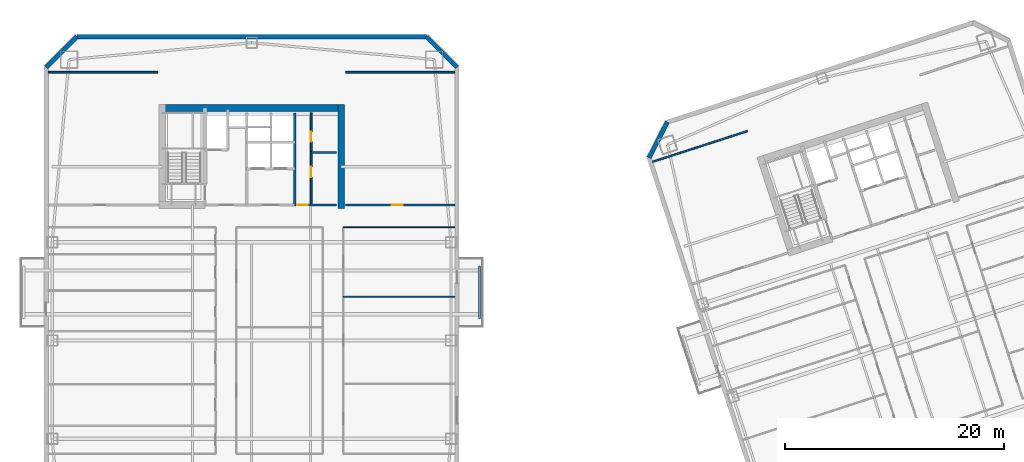
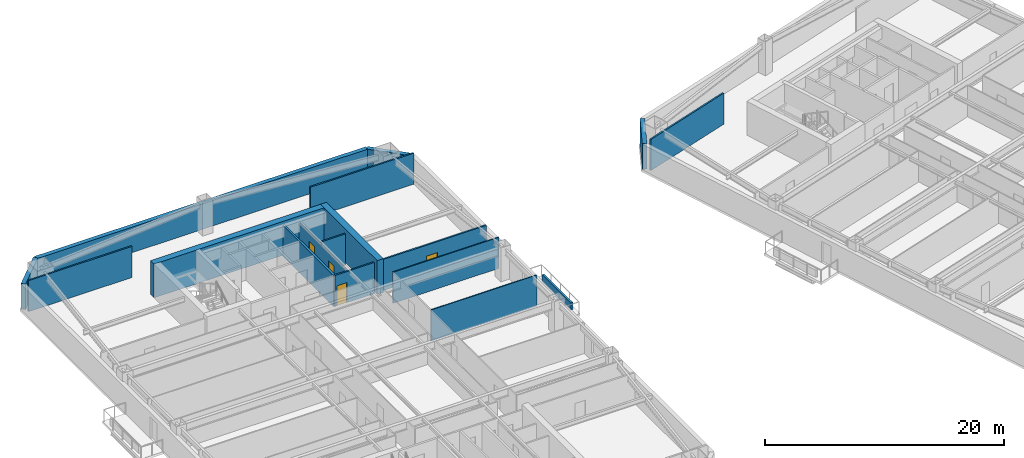
# One storey, part 6 of 15: 17 walls, 4 doors, 4 openings.
"""IFC4 building model written with IfcOpenShell, lengths in metres."""

import ifcopenshell
import ifcopenshell.guid

model = None  # the IFC model being written
_history = None  # IfcOwnerHistory: only IFC2X3 demands one
_inside = {}  # id of a spatial element -> (the spatial element, [elements in it])
_under = {}  # id of a project, library or spatial element -> (it, [spatial elements below it])
_declared = {}  # id of a project -> (the project, [libraries it declares])
_typed = {}  # id of a type object -> (the type object, [elements of that type])
_made_of = {}  # id of a material, layer set ... -> (it, [elements and type objects made of it])


def new_model(schema):
    """Start an empty IFC model of exactly this schema.

    Asked for "IFC4X3", IfcOpenShell would pick the latest addendum, in which some entities
    have other attributes; the version numbers below select the first issue.
    IFC2X3 requires an IfcOwnerHistory on every rooted entity: one is made here for all.
    """
    global model, _history
    if schema == "IFC4X3":
        model = ifcopenshell.file(schema_version=(4, 3, 0, 0))
    else:
        model = ifcopenshell.file(schema=schema)
    _inside.clear()
    _under.clear()
    _declared.clear()
    _typed.clear()
    _made_of.clear()
    _history = None
    if model.schema == "IFC2X3":
        org = make("IfcOrganization", Name="unknown")
        user = make(
            "IfcPersonAndOrganization",
            ThePerson=make("IfcPerson", FamilyName="unknown"),
            TheOrganization=org,
        )
        app = make(
            "IfcApplication",
            ApplicationDeveloper=org,
            Version="unknown",
            ApplicationFullName="unknown",
            ApplicationIdentifier="unknown",
        )
        _history = make(
            "IfcOwnerHistory",
            OwningUser=user,
            OwningApplication=app,
            ChangeAction="ADDED",
            CreationDate=0,
        )
    return model


def make(cls, **values):
    """One entity of the class cls with the attributes given. An attribute that is None is left unset."""
    return model.create_entity(
        cls, **{name: value for name, value in values.items() if value is not None}
    )


def rooted(cls, **values):
    """An entity with a GlobalId (a new one), such as an element, a storey or a relation."""
    return make(cls, GlobalId=ifcopenshell.guid.new(), OwnerHistory=_history, **values)


def si_unit(unit_type, name, prefix=None):
    """IfcSIUnit, for example si_unit("LENGTHUNIT", "METRE", prefix="MILLI")."""
    return make("IfcSIUnit", UnitType=unit_type, Prefix=prefix, Name=name)


def assignment(units):
    """IfcUnitAssignment: the units of a project."""
    return None if units is None else make("IfcUnitAssignment", Units=units)


def point(xyz):
    """IfcCartesianPoint."""
    return None if xyz is None else make("IfcCartesianPoint", Coordinates=xyz)


def direction(xyz):
    """IfcDirection."""
    return None if xyz is None else make("IfcDirection", DirectionRatios=xyz)


def frame(location, z_axis=None, x_axis=None):
    """IfcAxis2Placement3D, a coordinate frame: its origin and axes. An axis left out is left unset."""
    return make(
        "IfcAxis2Placement3D",
        Location=point(location),
        Axis=direction(z_axis),
        RefDirection=direction(x_axis),
    )


def frame_2d(location, x_axis=None):
    """IfcAxis2Placement2D, a coordinate frame in the plane: its origin and x axis."""
    return make(
        "IfcAxis2Placement2D", Location=point(location), RefDirection=direction(x_axis)
    )


def origin():
    """The frame at (0, 0, 0) with its axes left unset."""
    return frame((0.0, 0.0, 0.0))


def place(relative_to, where):
    """IfcLocalPlacement: puts the frame where relative to a parent placement (None: the world)."""
    return make(
        "IfcLocalPlacement", PlacementRelTo=relative_to, RelativePlacement=where
    )


def context(
    kind, dimensions, precision=None, world=None, true_north=None, identifier=None
):
    """IfcGeometricRepresentationContext, for example the 3D "Model" context."""
    return make(
        "IfcGeometricRepresentationContext",
        ContextIdentifier=identifier,
        ContextType=kind,
        CoordinateSpaceDimension=dimensions,
        Precision=precision,
        WorldCoordinateSystem=world,
        TrueNorth=true_north,
    )


def subcontext(parent, identifier, kind, view, scale=None):
    """IfcGeometricRepresentationSubContext, for example "Body" below "Model"."""
    return make(
        "IfcGeometricRepresentationSubContext",
        ContextIdentifier=identifier,
        ContextType=kind,
        ParentContext=parent,
        TargetScale=scale,
        TargetView=view,
    )


def project(units=None, contexts=None):
    """IfcProject with its units and contexts."""
    return rooted(
        "IfcProject",
        Name="project",
        RepresentationContexts=contexts,
        UnitsInContext=assignment(units),
    )


def spatial(cls, under=None, at=None, **own):
    """A site, building, storey or space (cls), placed at a placement, below another one or the project."""
    s = rooted(cls, ObjectPlacement=at, **own)
    if under is not None:
        _under.setdefault(under.id(), (under, []))[1].append(s)
    return s


def profile(cls, at=None, kind="AREA", **sizes):
    """A parametric profile (cls). Its sizes go by their IFC names, for example OverallWidth=200.0."""
    return make(cls, ProfileType=kind, Position=at, **sizes)


def rectangle(**sizes):
    """IfcRectangleProfileDef."""
    return profile("IfcRectangleProfileDef", **sizes)


def extrude(swept, where, along, depth):
    """IfcExtrudedAreaSolid: the profile swept, set in the frame where, extruded along a direction by depth."""
    return make(
        "IfcExtrudedAreaSolid",
        SweptArea=swept,
        Position=where,
        ExtrudedDirection=direction(along),
        Depth=depth,
    )


def shape(context_of_items, identifier, shape_type, items):
    """IfcShapeRepresentation: the items that make up one representation, for example the "Body"."""
    return make(
        "IfcShapeRepresentation",
        ContextOfItems=context_of_items,
        RepresentationIdentifier=identifier,
        RepresentationType=shape_type,
        Items=items,
    )


def material(Name=None, Category=None):
    """IfcMaterial."""
    return make("IfcMaterial", Name=Name, Category=Category)


def layer(
    of_material, thickness, ventilated=None, Name=None, Category=None, Priority=None
):
    """IfcMaterialLayer: one layer of a wall or slab, of a material (None: an air gap)."""
    return make(
        "IfcMaterialLayer",
        Material=of_material,
        LayerThickness=thickness,
        IsVentilated=ventilated,
        Name=Name,
        Category=Category,
        Priority=Priority,
    )


def layer_set(layers, Name=None):
    """IfcMaterialLayerSet."""
    return make("IfcMaterialLayerSet", MaterialLayers=layers, LayerSetName=Name)


def made_of(thing, what):
    """Note that an element or type object is made of a material, layer set ...; save() writes the relation."""
    if what is not None:
        _made_of.setdefault(what.id(), (what, []))[1].append(thing)
    return thing


def type_object(cls, material=None, **own):
    """A type object (cls), such as IfcWallType, which elements share."""
    return made_of(rooted(cls, **own), material)


def element(
    cls,
    number,
    at=None,
    inside=None,
    cuts=None,
    type_object=None,
    material=None,
    context=None,
    identifier="Body",
    shape_type=None,
    held_by="IfcProductDefinitionShape",
    body=None,
    shapes=None,
    **own,
):
    """One element of the class cls, such as IfcWall. Its Tag is "e" and its number.

    at: its placement. inside: the storey or other place that contains it. cuts: it is an
    opening in that element (IfcRelVoidsElement). A single representation is given by context,
    identifier, shape_type and body (its items); several are given by shapes. held_by: the class
    of the entity that holds the representations. save() writes the other relations.
    """
    e = rooted(cls, Tag="e%d" % number, ObjectPlacement=at, **own)
    if body is not None:
        shapes = [shape(context, identifier, shape_type, body)]
    if shapes is not None:
        e.Representation = make(held_by, Representations=shapes)
    if inside is not None:
        _inside.setdefault(inside.id(), (inside, []))[1].append(e)
    if cuts is not None:
        rooted(
            "IfcRelVoidsElement", RelatingBuildingElement=cuts, RelatedOpeningElement=e
        )
    if type_object is not None:
        _typed.setdefault(type_object.id(), (type_object, []))[1].append(e)
    return made_of(e, material)


def fill(opening, filler):
    """IfcRelFillsElement: the door or window that sits in an opening."""
    return rooted(
        "IfcRelFillsElement",
        RelatingOpeningElement=opening,
        RelatedBuildingElement=filler,
    )


def aggregate(whole, parts):
    """IfcRelAggregates: a whole, such as a stair, and the parts it consists of."""
    return rooted("IfcRelAggregates", RelatingObject=whole, RelatedObjects=parts)


def save(model, path):
    """Write the relations noted so far, then the file.

    IfcRelAggregates (storeys below a building ...), IfcRelContainedInSpatialStructure (elements
    in a storey), IfcRelDefinesByType, IfcRelAssociatesMaterial and IfcRelDeclares: one each for
    every whole, place, type object, material and project.
    """
    for whole, parts in _under.values():
        aggregate(whole, parts)
    for where, things in _inside.values():
        rooted(
            "IfcRelContainedInSpatialStructure",
            RelatedElements=things,
            RelatingStructure=where,
        )
    for kind, things in _typed.values():
        rooted("IfcRelDefinesByType", RelatedObjects=things, RelatingType=kind)
    for what, things in _made_of.values():
        rooted("IfcRelAssociatesMaterial", RelatedObjects=things, RelatingMaterial=what)
    for by, libraries in _declared.values():
        rooted("IfcRelDeclares", RelatingContext=by, RelatedDefinitions=libraries)
    model.write(path)


model = new_model("IFC4")

# Units and contexts
model_context = context("Model", 3, precision=1e-05, world=origin(), true_north=direction((0.0, 1.0)))
body_context = subcontext(model_context, "Body", "Model", "MODEL_VIEW")
ifc_project = project(units=[si_unit("LENGTHUNIT", "METRE"), si_unit("AREAUNIT", "SQUARE_METRE"), si_unit("VOLUMEUNIT", "CUBIC_METRE"), si_unit("PLANEANGLEUNIT", "RADIAN"), si_unit("MASSUNIT", "GRAM", prefix="KILO")], contexts=[model_context])

# Site, building, storey
site_placement = place(None, origin())
site = spatial("IfcSite", under=ifc_project, at=site_placement, CompositionType="ELEMENT")
building_placement = place(site_placement, origin())
building = spatial("IfcBuilding", under=site, at=building_placement, Name="Qiaolan Cultural Towers", CompositionType="ELEMENT")
storey_placement = place(building_placement, frame((0.0, 0.0, 113.85009765625)))
storey = spatial("IfcBuildingStorey", under=building, at=storey_placement, Name="L29", CompositionType="ELEMENT", Elevation=113.85009765625)

# Walls
ifc_material_1 = material(Name="Concrete C55", Category="concrete")
ifc_layer_1 = layer(ifc_material_1, 0.60009765625)
ifc_layer_set_1 = layer_set([ifc_layer_1], Name="Concrete C55")
wall_type_1 = type_object("IfcWallType", Name="WL-CORE-600", PredefinedType="SHEAR", material=ifc_layer_set_1)
wall_1_placement = place(storey_placement, frame((21.5, 55.280029296875, 0.0), z_axis=(0.0, 0.0, 1.0), x_axis=(1.0, 0.0, 0.0)))
element("IfcWall", 1, at=wall_1_placement, inside=storey, type_object=wall_type_1, Name="L29 T1-CN Outer Core Shear Wall", PredefinedType="SHEAR", context=body_context, shape_type="SweptSolid", body=[
    extrude(rectangle(XDim=17.0, YDim=0.60009765625, at=frame_2d((8.5, 0.0))), origin(), (0.0, 0.0, 1.0), 3.449951171875),
])
wall_2_placement = place(storey_placement, frame((38.199951171875, 46.10009765625, 0.0), z_axis=(0.0, 0.0, 1.0), x_axis=(0.0, 1.0, 0.0)))
element("IfcWall", 2, at=wall_2_placement, inside=storey, type_object=wall_type_1, Name="L29 T1-CN East Core Shear Wall", PredefinedType="SHEAR", context=body_context, shape_type="SweptSolid", body=[
    extrude(rectangle(XDim=9.47998046875, YDim=0.60009765625, at=frame_2d((4.739990234375, 0.0))), origin(), (0.0, 0.0, 1.0), 3.449951171875),
])
ifc_material_2 = material(Name="Precast Concrete C50 Honed Stone Pier", Category="masonry")
ifc_layer_2 = layer(ifc_material_2, 0.39990234375)
ifc_layer_set_2 = layer_set([ifc_layer_2], Name="Precast Concrete C50 Honed Stone Pier")
wall_type_2 = type_object("IfcWallType", Name="WL-EXT-PIER-400", PredefinedType="SOLIDWALL", material=ifc_layer_set_2)
wall_3_placement = place(storey_placement, frame((11.199951171875, 59.0, 0.0), z_axis=(0.0, 0.0, 1.0), x_axis=(0.707106781187, 0.707106781187, 0.0)))
element("IfcWall", 3, at=wall_3_placement, inside=storey, type_object=wall_type_2, Name="L29 West Tower Precast Pier Facade Wall F2", PredefinedType="SOLIDWALL", context=body_context, shape_type="SweptSolid", body=[
    extrude(rectangle(XDim=3.9599609375, YDim=0.39990234375, at=frame_2d((1.97998046875, 0.0))), origin(), (0.0, 0.0, 1.0), 2.60986328125),
])
wall_4_placement = place(storey_placement, frame((14.0, 61.800048828125, 0.0), z_axis=(0.0, 0.0, 1.0), x_axis=(1.0, 0.0, 0.0)))
element("IfcWall", 4, at=wall_4_placement, inside=storey, type_object=wall_type_2, Name="L29 West Tower Precast Pier Facade Wall F3", PredefinedType="SOLIDWALL", context=body_context, shape_type="SweptSolid", body=[
    extrude(rectangle(XDim=32.0, YDim=0.39990234375, at=frame_2d((16.0, 0.0))), origin(), (0.0, 0.0, 1.0), 2.60986328125),
])
wall_5_placement = place(storey_placement, frame((46.0, 61.800048828125, 0.0), z_axis=(0.0, 0.0, 1.0), x_axis=(0.707106781187, -0.707106781187, 0.0)))
element("IfcWall", 5, at=wall_5_placement, inside=storey, type_object=wall_type_2, Name="L29 West Tower Precast Pier Facade Wall F4", PredefinedType="SOLIDWALL", context=body_context, shape_type="SweptSolid", body=[
    extrude(rectangle(XDim=3.9599609375, YDim=0.39990234375, at=frame_2d((1.97998046875, 0.0))), origin(), (0.0, 0.0, 1.0), 2.60986328125),
])
wall_6_placement = place(storey_placement, frame((66.37744140625, 50.718505859375, 0.0), z_axis=(0.0, 0.0, 1.0), x_axis=(0.454026238093, 0.890988313685, 0.0)))
element("IfcWall", 6, at=wall_6_placement, inside=storey, type_object=wall_type_2, Name="L29 East Tower Precast Pier Facade Wall F2", PredefinedType="SOLIDWALL", context=body_context, shape_type="SweptSolid", body=[
    extrude(rectangle(XDim=3.677001953125, YDim=0.39990234375, at=frame_2d((1.83837890625, 0.0))), origin(), (0.0, 0.0, 1.0), 2.60986328125),
])
ifc_material_3 = material(Name="Concrete C35 Fire Wall", Category="concrete")
ifc_layer_3 = layer(ifc_material_3, 0.199951171875)
ifc_layer_set_3 = layer_set([ifc_layer_3], Name="Concrete C35 Fire Wall")
wall_type_3 = type_object("IfcWallType", Name="WL-FIRE-200", PredefinedType="PARTITIONING", material=ifc_layer_set_3)
wall_7_placement = place(storey_placement, frame((33.949951171875, 46.39990234375, 0.0), z_axis=(0.0, 0.0, 1.0), x_axis=(0.0, 1.0, 0.0)))
element("IfcWall", 7, at=wall_7_placement, inside=storey, type_object=wall_type_3, Name="L29 T1-CN Lift Core East Wall", PredefinedType="PARTITIONING", context=body_context, shape_type="SweptSolid", body=[
    extrude(rectangle(XDim=8.43017578125, YDim=0.199951171875, at=frame_2d((4.215087890625, 0.0))), origin(), (0.0, 0.0, 1.0), 3.1748046875),
])
ifc_material_4 = material(Name="Acoustic Double-Glazed Partition Frame", Category="glass")
ifc_layer_4 = layer(ifc_material_4, 0.10009765625)
ifc_layer_set_4 = layer_set([ifc_layer_4], Name="Acoustic Double-Glazed Partition Frame")
wall_type_4 = type_object("IfcWallType", Name="WL-GLAZED-100", PredefinedType="MOVABLE", material=ifc_layer_set_4)
for number, where, z_axis, x_axis, name in (
    (8, (38.39990234375, 44.35009765625, 0.0), (0.0, 0.0, 1.0), (1.0, 0.0, 0.0), "L29 T1 Interior Wall"),
    (9, (38.39990234375, 38.0, 0.0), (0.0, 0.0, 1.0), (1.0, 0.0, 0.0), "L29 T1 Interior Wall"),
):
    element("IfcWall", number, at=place(storey_placement, frame(where, z_axis=z_axis, x_axis=x_axis)), inside=storey, type_object=wall_type_4, Name=name, PredefinedType="MOVABLE", context=body_context, shape_type="SweptSolid", body=[
        extrude(rectangle(XDim=10.2001953125, YDim=0.10009765625, at=frame_2d((5.10009765625, 0.0))), origin(), (0.0, 0.0, 1.0), 3.1748046875),
    ])

# Wall, opening, door
ifc_material_5 = material(Name="Autoclaved Aerated Concrete Block B06", Category="concrete")
ifc_layer_5 = layer(ifc_material_5, 0.14990234375)
ifc_layer_set_5 = layer_set([ifc_layer_5], Name="Autoclaved Aerated Concrete Block B06")
wall_type_5 = type_object("IfcWallType", Name="WL-PART-150", PredefinedType="PARTITIONING", material=ifc_layer_set_5)
wall_8_placement = place(storey_placement, frame((33.949951171875, 46.39990234375, 0.0), z_axis=(0.0, 0.0, 1.0), x_axis=(1.0, 0.0, 0.0)))
wall_8 = element("IfcWall", 10, at=wall_8_placement, inside=storey, type_object=wall_type_5, Name="L29 T1-CN Sanitary Core Front Wall", PredefinedType="PARTITIONING", context=body_context, shape_type="SweptSolid", body=[
    extrude(rectangle(XDim=3.800048828125, YDim=0.14990234375, at=frame_2d((1.89990234375, 0.0))), origin(), (0.0, 0.0, 1.0), 3.1748046875),
])
opening_1_placement = place(wall_8_placement, frame((0.219970703125, 0.0, 0.0)))
opening_1 = element("IfcOpeningElement", 11, at=opening_1_placement, cuts=wall_8, Name="Opening ID-05", PredefinedType="OPENING", context=body_context, shape_type="SweptSolid", body=[
    extrude(rectangle(XDim=0.949951171875, YDim=2.050048828125, at=frame_2d((0.47509765625, 1.02490234375))), frame((0.0, 0.0849609375, 0.0), z_axis=(0.0, -1.0, 0.0), x_axis=(1.0, 0.0, 0.0)), (0.0, 0.0, 1.0), 0.169921875),
])
ifc_material_6 = material(Name="Fire-Rated Laminate Accessible Core Door", Category="timber")
door_type_1 = type_object("IfcDoorType", Name="DR-INT-950", OperationType="NOTDEFINED", PredefinedType="DOOR", material=ifc_material_6)
door_1_placement = place(opening_1_placement, origin())
door_1 = element("IfcDoor", 12, at=door_1_placement, inside=storey, type_object=door_type_1, Name="L29 Sanitary Lobby Door", OperationType="SINGLE_SWING_LEFT", OverallHeight=2.050048828125, OverallWidth=0.949951171875, PredefinedType="DOOR", context=body_context, shape_type="SweptSolid", body=[
    extrude(rectangle(XDim=0.949951171875, YDim=2.050048828125, at=frame_2d((0.47509765625, 1.02490234375))), frame((0.0, 0.02490234375, 0.0), z_axis=(0.0, -1.0, 0.0), x_axis=(1.0, 0.0, 0.0)), (0.0, 0.0, 1.0), 0.050048828125),
])
fill(opening_1, door_1)

# Wall, openings, doors
wall_9_placement = place(storey_placement, frame((35.449951171875, 46.39990234375, 0.0), z_axis=(0.0, 0.0, 1.0), x_axis=(0.0, 1.0, 0.0)))
wall_9 = element("IfcWall", 13, at=wall_9_placement, inside=storey, type_object=wall_type_5, Name="L29 T1-CN Washroom Split Wall", PredefinedType="PARTITIONING", context=body_context, shape_type="SweptSolid", body=[
    extrude(rectangle(XDim=8.43017578125, YDim=0.14990234375, at=frame_2d((4.215087890625, 0.0))), origin(), (0.0, 0.0, 1.0), 2.81494140625),
])
opening_2_placement = place(wall_9_placement, frame((2.550048828125, 0.0, 0.0)))
opening_2 = element("IfcOpeningElement", 14, at=opening_2_placement, cuts=wall_9, Name="Opening ID-05", PredefinedType="OPENING", context=body_context, shape_type="SweptSolid", body=[
    extrude(rectangle(XDim=0.949951171875, YDim=2.050048828125, at=frame_2d((0.47509765625, 1.02490234375))), frame((0.0, 0.0849609375, 0.0), z_axis=(0.0, -1.0, 0.0), x_axis=(1.0, 0.0, 0.0)), (0.0, 0.0, 1.0), 0.169921875),
])
opening_3_placement = place(wall_9_placement, frame((5.800048828125, 0.0, 0.0)))
opening_3 = element("IfcOpeningElement", 15, at=opening_3_placement, cuts=wall_9, Name="Opening ID-06", PredefinedType="OPENING", context=body_context, shape_type="SweptSolid", body=[
    extrude(rectangle(XDim=0.89990234375, YDim=2.050048828125, at=frame_2d((0.449951171875, 1.02490234375))), frame((0.0, 0.0849609375, 0.0), z_axis=(0.0, -1.0, 0.0), x_axis=(1.0, 0.0, 0.0)), (0.0, 0.0, 1.0), 0.169921875),
])
ifc_material_7 = material(Name="Fire-Rated Laminate Core Service Door", Category="timber")
door_type_2 = type_object("IfcDoorType", Name="DR-INT-900", OperationType="NOTDEFINED", PredefinedType="DOOR", material=ifc_material_7)
door_2_placement = place(opening_3_placement, origin())
door_2 = element("IfcDoor", 16, at=door_2_placement, inside=storey, type_object=door_type_2, Name="L29 First-Aid Room Door", OperationType="SINGLE_SWING_RIGHT", OverallHeight=2.050048828125, OverallWidth=0.89990234375, PredefinedType="DOOR", context=body_context, shape_type="SweptSolid", body=[
    extrude(rectangle(XDim=0.89990234375, YDim=2.050048828125, at=frame_2d((0.449951171875, 1.02490234375))), frame((0.0, 0.02490234375, 0.0), z_axis=(0.0, -1.0, 0.0), x_axis=(1.0, 0.0, 0.0)), (0.0, 0.0, 1.0), 0.050048828125),
])
fill(opening_3, door_2)
door_3_placement = place(opening_2_placement, origin())
door_3 = element("IfcDoor", 17, at=door_3_placement, inside=storey, type_object=door_type_1, Name="L29 Accessible Washroom Door", OperationType="SINGLE_SWING_LEFT", OverallHeight=2.050048828125, OverallWidth=0.949951171875, PredefinedType="DOOR", context=body_context, shape_type="SweptSolid", body=[
    extrude(rectangle(XDim=0.949951171875, YDim=2.050048828125, at=frame_2d((0.47509765625, 1.02490234375))), frame((0.0, 0.02490234375, 0.0), z_axis=(0.0, -1.0, 0.0), x_axis=(1.0, 0.0, 0.0)), (0.0, 0.0, 1.0), 0.050048828125),
])
fill(opening_2, door_3)

# Walls
wall_10_placement = place(storey_placement, frame((35.449951171875, 51.199951171875, 0.0), z_axis=(0.0, 0.0, 1.0), x_axis=(1.0, 0.0, 0.0)))
element("IfcWall", 18, at=wall_10_placement, inside=storey, type_object=wall_type_5, Name="L29 T1-CN First-Aid Wall", PredefinedType="PARTITIONING", context=body_context, shape_type="SweptSolid", body=[
    extrude(rectangle(XDim=2.300048828125, YDim=0.14990234375, at=frame_2d((1.14990234375, 0.0))), origin(), (0.0, 0.0, 1.0), 3.1748046875),
])
for number, where, z_axis, x_axis, name in (
    (19, (11.39990234375, 58.550048828125, 0.0), (0.0, 0.0, 1.0), (1.0, 0.0, 0.0), "L29 T1 Flank Wall FLK-NW"),
    (20, (38.60009765625, 58.550048828125, 0.0), (0.0, 0.0, 1.0), (1.0, 0.0, 0.0), "L29 T1 Flank Wall FLK-NE"),
):
    element("IfcWall", number, at=place(storey_placement, frame(where, z_axis=z_axis, x_axis=x_axis)), inside=storey, type_object=wall_type_5, Name=name, PredefinedType="PARTITIONING", context=body_context, shape_type="SweptSolid", body=[
        extrude(rectangle(XDim=10.0, YDim=0.14990234375, at=frame_2d((5.0, 0.0))), origin(), (0.0, 0.0, 1.0), 3.1748046875),
    ])

# Wall, opening, door
wall_11_placement = place(storey_placement, frame((38.60009765625, 46.39990234375, 0.0), z_axis=(0.0, 0.0, 1.0), x_axis=(1.0, 0.0, 0.0)))
wall_11 = element("IfcWall", 21, at=wall_11_placement, inside=storey, type_object=wall_type_5, Name="L29 T1 Flank Front FLK-NE", PredefinedType="PARTITIONING", context=body_context, shape_type="SweptSolid", body=[
    extrude(rectangle(XDim=10.0, YDim=0.14990234375, at=frame_2d((5.0, 0.0))), origin(), (0.0, 0.0, 1.0), 3.1748046875),
])
opening_4_placement = place(wall_11_placement, frame((4.199951171875, 0.0, 0.0)))
opening_4 = element("IfcOpeningElement", 22, at=opening_4_placement, cuts=wall_11, Name="Opening ID-07", PredefinedType="OPENING", context=body_context, shape_type="SweptSolid", body=[
    extrude(rectangle(XDim=1.050048828125, YDim=2.050048828125, at=frame_2d((0.52490234375, 1.02490234375))), frame((0.0, 0.0849609375, 0.0), z_axis=(0.0, -1.0, 0.0), x_axis=(1.0, 0.0, 0.0)), (0.0, 0.0, 1.0), 0.169921875),
])
ifc_material_8 = material(Name="Oak Veneer Consultation Door", Category="timber")
door_type_3 = type_object("IfcDoorType", Name="DR-INT-1050", OperationType="NOTDEFINED", PredefinedType="DOOR", material=ifc_material_8)
door_4_placement = place(opening_4_placement, origin())
door_4 = element("IfcDoor", 23, at=door_4_placement, inside=storey, type_object=door_type_3, Name="L29 T1 Corner Studio Door", OperationType="SINGLE_SWING_LEFT", OverallHeight=2.050048828125, OverallWidth=1.050048828125, PredefinedType="DOOR", context=body_context, shape_type="SweptSolid", body=[
    extrude(rectangle(XDim=1.050048828125, YDim=2.050048828125, at=frame_2d((0.52490234375, 1.02490234375))), frame((0.0, 0.02490234375, 0.0), z_axis=(0.0, -1.0, 0.0), x_axis=(1.0, 0.0, 0.0)), (0.0, 0.0, 1.0), 0.050048828125),
])
fill(opening_4, door_4)

# Walls
wall_12_placement = place(storey_placement, frame((66.706787109375, 50.352294921875, 0.0), z_axis=(0.0, 0.0, 1.0), x_axis=(0.951057133767, 0.309015093986, 0.0)))
element("IfcWall", 24, at=wall_12_placement, inside=storey, type_object=wall_type_5, Name="L29 T2 Flank Wall FLK-NW", PredefinedType="PARTITIONING", context=body_context, shape_type="SweptSolid", body=[
    extrude(rectangle(XDim=9.099853515625, YDim=0.14990234375, at=frame_2d((4.5498046875, 0.0))), origin(), (0.0, 0.0, 1.0), 3.1748046875),
])
ifc_material_9 = material(Name="Precast Concrete C45 Tree Planter Upstand", Category="concrete")
ifc_layer_6 = layer(ifc_material_9, 0.199951171875)
ifc_layer_set_6 = layer_set([ifc_layer_6], Name="Precast Concrete C45 Tree Planter Upstand")
wall_type_6 = type_object("IfcWallType", Name="WL-PLANTER-200", PredefinedType="PARAPET", material=ifc_layer_set_6)
wall_13_placement = place(storey_placement, frame((50.85009765625, 36.0, 0.0), z_axis=(0.0, 0.0, 1.0), x_axis=(0.0, 1.0, 0.0)))
element("IfcWall", 25, at=wall_13_placement, inside=storey, type_object=wall_type_6, Name="L29 T1 Tree Balcony Soil Planter Box E", PredefinedType="PARAPET", context=body_context, shape_type="SweptSolid", body=[
    extrude(rectangle(XDim=4.800048828125, YDim=0.199951171875, at=frame_2d((2.39990234375, 0.0))), origin(), (0.0, 0.0, 1.0), 0.75),
])

save(model, "model.ifc")
